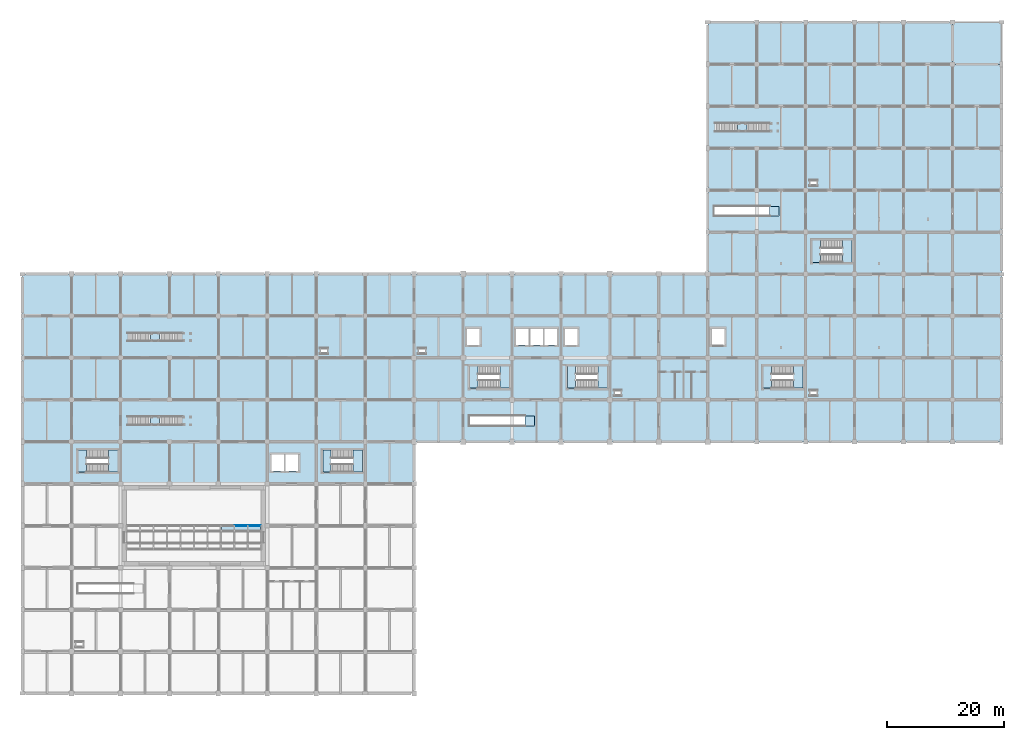
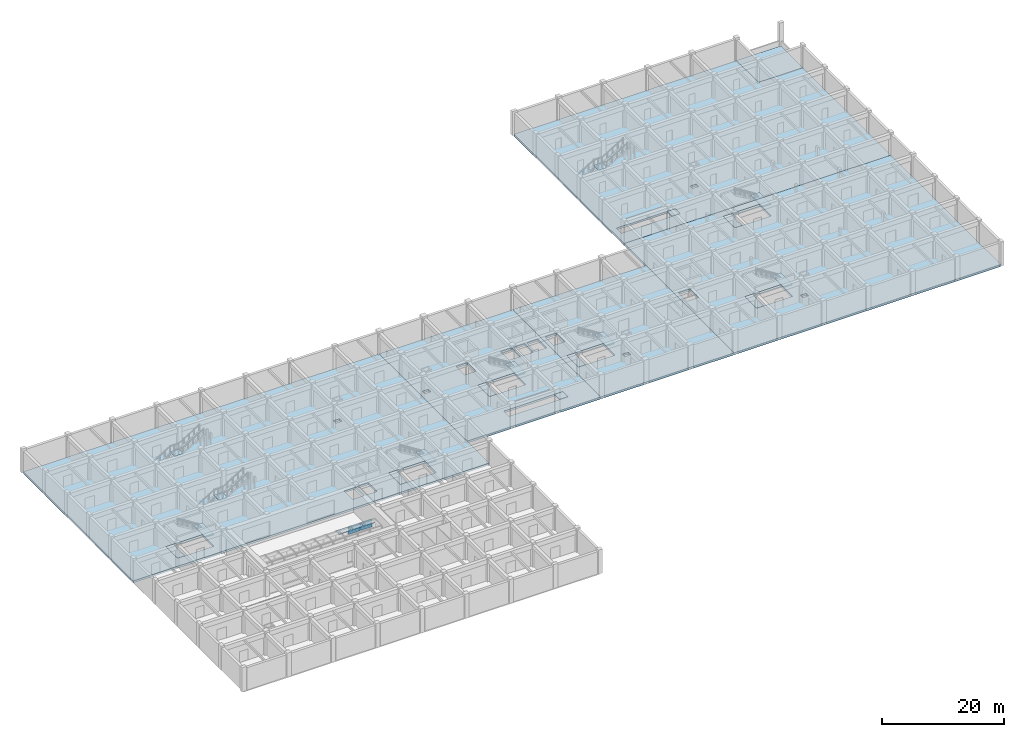
# One storey, part 14 of 32: 23 slabs, 5 plates, 9 elements without a shape of their own.
"""IFC4 building model written with IfcOpenShell, lengths in metres."""

from ifc_helpers import new_model, si_unit, derived_unit, direction, frame, origin, origin_2d, place, context, subcontext, project, spatial, polyline, rectangle, outline, extrude, material, layer, layer_set, type_object, element, aggregate, save


model = new_model("IFC4")

# Units and contexts
model_context = context("Model", 3, precision=1e-05, world=origin(), true_north=direction((0.0, 1.0)))
body_context = subcontext(model_context, "Body", "Model", "MODEL_VIEW")
ifc_project = project(units=[si_unit("LENGTHUNIT", "METRE"), si_unit("AREAUNIT", "SQUARE_METRE"), si_unit("VOLUMEUNIT", "CUBIC_METRE"), si_unit("PLANEANGLEUNIT", "RADIAN"), si_unit("MASSUNIT", "GRAM", prefix="KILO"), derived_unit("THERMALTRANSMITTANCEUNIT", [(si_unit("MASSUNIT", "GRAM", prefix="KILO"), 1), (si_unit("TIMEUNIT", "SECOND"), -3), (si_unit("THERMODYNAMICTEMPERATUREUNIT", "KELVIN"), -1)])], contexts=[model_context])

# Site, building, storey
site_placement = place(None, origin())
site = spatial("IfcSite", under=ifc_project, at=site_placement, CompositionType="ELEMENT")
building_placement = place(site_placement, origin())
building = spatial("IfcBuilding", under=site, at=building_placement, Name="Veldstrom Oceanarium and Marine Research Institute", CompositionType="ELEMENT")
storey_placement = place(building_placement, frame((0.0, 0.0, -4.800048828125)))
storey = spatial("IfcBuildingStorey", under=building, at=storey_placement, Name="B01", CompositionType="ELEMENT", Elevation=-4.800048828125)

# Plates
ifc_material_1 = material(Name="Cast Acrylic PMMA", Category="glass")
ifc_layer_1 = layer(ifc_material_1, 0.159912109375)
ifc_layer_set_1 = layer_set([ifc_layer_1], Name="ARC-PLT-AT1")
plate_type_1 = type_object("IfcPlateType", Name="ARC-PLT-AT1", PredefinedType="SHEET", material=ifc_layer_set_1)
for number, where, z_axis, x_axis, name in (
    (1, (37.485107421875, 28.824951171875, 0.89990234375), (0.0, 0.0, 1.0), (1.0, 0.0, 0.0), "Walkthrough Acrylic Tunnel Panel AT-058"),
    (2, (39.794921875, 28.824951171875, 0.89990234375), (0.0, 0.0, 1.0), (1.0, 0.0, 0.0), "Walkthrough Acrylic Tunnel Panel AT-065"),
):
    element("IfcPlate", number, at=place(storey_placement, frame(where, z_axis=z_axis, x_axis=x_axis)), inside=storey, type_object=plate_type_1, Name=name, PredefinedType="SHEET", context=body_context, shape_type="SweptSolid", body=[
        extrude(rectangle(XDim=2.14990234375, YDim=0.159912109375, at=origin_2d()), origin(), (0.0, 0.0, 1.0), 1.35009765625),
    ])
ifc_material_2 = material(Name="Cast Acrylic PMMA", Category="glass")
ifc_layer_2 = layer(ifc_material_2, 0.159912109375)
ifc_layer_set_2 = layer_set([ifc_layer_2], Name="ARC-PLT-AT2")
plate_type_2 = type_object("IfcPlateType", Name="ARC-PLT-AT2", PredefinedType="SHEET", material=ifc_layer_set_2)
for number, where, z_axis, x_axis, name in (
    (3, (35.175048828125, 28.33740234375, 2.25), (0.0, 0.0, 1.0), (1.0, 0.0, 0.0), "Walkthrough Acrylic Tunnel Panel AT-053"),
    (4, (37.485107421875, 28.33740234375, 2.25), (0.0, 0.0, 1.0), (1.0, 0.0, 0.0), "Walkthrough Acrylic Tunnel Panel AT-060"),
    (5, (39.794921875, 28.33740234375, 2.25), (0.0, 0.0, 1.0), (1.0, 0.0, 0.0), "Walkthrough Acrylic Tunnel Panel AT-067"),
):
    element("IfcPlate", number, at=place(storey_placement, frame(where, z_axis=z_axis, x_axis=x_axis)), inside=storey, type_object=plate_type_2, Name=name, PredefinedType="SHEET", context=body_context, shape_type="SweptSolid", body=[
        extrude(rectangle(XDim=2.14990234375, YDim=1.135009765625, at=origin_2d()), origin(), (0.0, 0.0, 1.0), 0.159912109375),
    ])

# Slabs
ifc_material_3 = material(Name="Concrete C40/50", Category="concrete")
ifc_layer_3 = layer(ifc_material_3, 0.39990234375)
ifc_layer_set_3 = layer_set([ifc_layer_3], Name="STR-SLB-FL0400")
slab_type_1 = type_object("IfcSlabType", Name="STR-SLB-FL0400", PredefinedType="FLOOR", material=ifc_layer_set_3)
slab_1_placement = place(storey_placement, frame((0.0, 0.0, -0.39990234375)))
element("IfcSlab", 6, at=slab_1_placement, inside=storey, type_object=slab_type_1, Name="Slab SF-400 B01 WN", PredefinedType="FLOOR", context=body_context, shape_type="SweptSolid", body=[
    extrude(outline(polyline([(67.199951171875, 57.60009765625), (67.199951171875, 50.39990234375), (67.199951171875, 43.199951171875), (67.199951171875, 36.0), (58.800048828125, 36.0), (50.39990234375, 36.0), (42.0, 36.0), (33.60009765625, 36.0), (25.199951171875, 36.0), (16.800048828125, 36.0), (8.39990234375, 36.0), (0.0, 36.0), (0.0, 43.199951171875), (0.0, 50.39990234375), (0.0, 57.60009765625), (0.0, 64.800048828125), (0.0, 72.0), (8.39990234375, 72.0), (16.800048828125, 72.0), (25.199951171875, 72.0), (33.60009765625, 72.0), (42.0, 72.0), (50.39990234375, 72.0), (58.800048828125, 72.0), (67.199951171875, 72.0), (67.199951171875, 64.800048828125), (67.199951171875, 57.60009765625)]), holes=[polyline([(16.360107421875, 38.0), (16.360107421875, 41.800048828125), (9.52001953125, 41.800048828125), (9.52001953125, 38.0), (16.360107421875, 38.0)]), polyline([(51.52001953125, 41.800048828125), (51.52001953125, 38.0), (58.360107421875, 38.0), (58.360107421875, 41.800048828125), (51.52001953125, 41.800048828125)]), polyline([(44.85009765625, 38.199951171875), (44.85009765625, 41.0), (42.699951171875, 41.0), (42.699951171875, 38.199951171875), (44.85009765625, 38.199951171875)]), polyline([(45.14990234375, 38.199951171875), (47.300048828125, 38.199951171875), (47.300048828125, 41.0), (45.14990234375, 41.0), (45.14990234375, 38.199951171875)]), polyline([(52.300048828125, 59.199951171875), (51.199951171875, 59.199951171875), (51.199951171875, 58.39990234375), (52.300048828125, 58.39990234375), (52.300048828125, 59.199951171875)])]), origin(), (0.0, 0.0, 1.0), 0.39990234375),
])
slab_2_placement = place(storey_placement, frame((0.0, 0.0, -0.39990234375)))
element("IfcSlab", 7, at=slab_2_placement, inside=storey, type_object=slab_type_1, Name="Slab SF-400 B01 CW", PredefinedType="FLOOR", context=body_context, shape_type="SweptSolid", body=[
    extrude(outline(polyline([(84.0, 72.0), (92.39990234375, 72.0), (92.39990234375, 64.800048828125), (92.39990234375, 57.60009765625), (92.39990234375, 50.39990234375), (92.39990234375, 43.199951171875), (84.0, 43.199951171875), (75.60009765625, 43.199951171875), (67.199951171875, 43.199951171875), (67.199951171875, 50.39990234375), (67.199951171875, 57.60009765625), (67.199951171875, 64.800048828125), (67.199951171875, 72.0), (75.60009765625, 72.0), (84.0, 72.0)]), holes=[polyline([(76.719970703125, 56.199951171875), (76.719970703125, 52.39990234375), (83.56005859375, 52.39990234375), (83.56005859375, 56.199951171875), (76.719970703125, 56.199951171875)]), polyline([(76.679931640625, 45.945068359375), (87.840087890625, 45.945068359375), (87.840087890625, 47.655029296875), (76.679931640625, 47.655029296875), (76.679931640625, 45.945068359375)]), polyline([(78.449951171875, 62.60009765625), (76.300048828125, 62.60009765625), (76.300048828125, 59.800048828125), (78.449951171875, 59.800048828125), (78.449951171875, 62.60009765625)]), polyline([(84.699951171875, 59.800048828125), (86.85009765625, 59.800048828125), (86.85009765625, 62.60009765625), (84.699951171875, 62.60009765625), (84.699951171875, 59.800048828125)]), polyline([(87.14990234375, 62.60009765625), (87.14990234375, 59.800048828125), (89.300048828125, 59.800048828125), (89.300048828125, 62.60009765625), (87.14990234375, 62.60009765625)]), polyline([(91.75, 62.60009765625), (89.60009765625, 62.60009765625), (89.60009765625, 59.800048828125), (91.75, 59.800048828125), (91.75, 62.60009765625)]), polyline([(69.10009765625, 59.199951171875), (68.0, 59.199951171875), (68.0, 58.39990234375), (69.10009765625, 58.39990234375), (69.10009765625, 59.199951171875)])]), origin(), (0.0, 0.0, 1.0), 0.39990234375),
])
slab_3_placement = place(storey_placement, frame((0.0, 0.0, -0.39990234375)))
element("IfcSlab", 8, at=slab_3_placement, inside=storey, type_object=slab_type_1, Name="Slab SF-400 B01 CE", PredefinedType="FLOOR", context=body_context, shape_type="SweptSolid", body=[
    extrude(outline(polyline([(100.800048828125, 72.0), (109.199951171875, 72.0), (117.60009765625, 72.0), (117.60009765625, 64.800048828125), (117.60009765625, 57.60009765625), (117.60009765625, 50.39990234375), (117.60009765625, 43.199951171875), (109.199951171875, 43.199951171875), (100.800048828125, 43.199951171875), (92.39990234375, 43.199951171875), (92.39990234375, 50.39990234375), (92.39990234375, 57.60009765625), (92.39990234375, 64.800048828125), (92.39990234375, 72.0), (100.800048828125, 72.0)]), holes=[polyline([(100.360107421875, 56.199951171875), (93.52001953125, 56.199951171875), (93.52001953125, 52.39990234375), (100.360107421875, 52.39990234375), (100.360107421875, 56.199951171875)]), polyline([(95.25, 59.800048828125), (95.25, 62.60009765625), (93.10009765625, 62.60009765625), (93.10009765625, 59.800048828125), (95.25, 59.800048828125)]), polyline([(102.699951171875, 52.0), (101.60009765625, 52.0), (101.60009765625, 51.199951171875), (102.699951171875, 51.199951171875), (102.699951171875, 52.0)])]), origin(), (0.0, 0.0, 1.0), 0.39990234375),
])
slab_4_placement = place(storey_placement, frame((0.0, 0.0, -0.39990234375)))
element("IfcSlab", 9, at=slab_4_placement, inside=storey, type_object=slab_type_1, Name="Slab SF-400 B01 ES", PredefinedType="FLOOR", context=body_context, shape_type="SweptSolid", body=[
    extrude(outline(polyline([(126.0, 43.199951171875), (117.60009765625, 43.199951171875), (117.60009765625, 50.39990234375), (117.60009765625, 57.60009765625), (117.60009765625, 64.800048828125), (117.60009765625, 72.0), (117.60009765625, 79.199951171875), (126.0, 79.199951171875), (134.39990234375, 79.199951171875), (142.800048828125, 79.199951171875), (151.199951171875, 79.199951171875), (159.60009765625, 79.199951171875), (168.0, 79.199951171875), (168.0, 72.0), (168.0, 64.800048828125), (168.0, 57.60009765625), (168.0, 50.39990234375), (168.0, 43.199951171875), (159.60009765625, 43.199951171875), (151.199951171875, 43.199951171875), (142.800048828125, 43.199951171875), (134.39990234375, 43.199951171875), (126.0, 43.199951171875)]), holes=[polyline([(127.1201171875, 52.39990234375), (133.9599609375, 52.39990234375), (133.9599609375, 56.199951171875), (127.1201171875, 56.199951171875), (127.1201171875, 52.39990234375)]), polyline([(142.360107421875, 77.800048828125), (135.52001953125, 77.800048828125), (135.52001953125, 74.0), (142.360107421875, 74.0), (142.360107421875, 77.800048828125)]), polyline([(118.300048828125, 62.60009765625), (118.300048828125, 59.800048828125), (120.449951171875, 59.800048828125), (120.449951171875, 62.60009765625), (118.300048828125, 62.60009765625)]), polyline([(136.300048828125, 52.0), (135.199951171875, 52.0), (135.199951171875, 51.199951171875), (136.300048828125, 51.199951171875), (136.300048828125, 52.0)])]), origin(), (0.0, 0.0, 1.0), 0.39990234375),
])
slab_5_placement = place(storey_placement, frame((0.0, 0.0, -0.39990234375)))
element("IfcSlab", 10, at=slab_5_placement, inside=storey, type_object=slab_type_1, Name="Slab SF-400 B01 EN", PredefinedType="FLOOR", context=body_context, shape_type="SweptSolid", body=[
    extrude(outline(polyline([(126.0, 79.199951171875), (117.60009765625, 79.199951171875), (117.60009765625, 86.39990234375), (117.60009765625, 93.60009765625), (117.60009765625, 100.800048828125), (117.60009765625, 108.0), (117.60009765625, 115.199951171875), (126.0, 115.199951171875), (134.39990234375, 115.199951171875), (142.800048828125, 115.199951171875), (151.199951171875, 115.199951171875), (159.60009765625, 115.199951171875), (159.60009765625, 108.0), (168.0, 108.0), (168.0, 100.800048828125), (168.0, 93.60009765625), (168.0, 86.39990234375), (168.0, 79.199951171875), (159.60009765625, 79.199951171875), (151.199951171875, 79.199951171875), (142.800048828125, 79.199951171875), (134.39990234375, 79.199951171875), (126.0, 79.199951171875)]), holes=[polyline([(118.679931640625, 83.60498046875), (118.679931640625, 81.9951171875), (129.840087890625, 81.9951171875), (129.840087890625, 83.60498046875), (118.679931640625, 83.60498046875)]), polyline([(136.300048828125, 88.0), (135.199951171875, 88.0), (135.199951171875, 87.199951171875), (136.300048828125, 87.199951171875), (136.300048828125, 88.0)])]), origin(), (0.0, 0.0, 1.0), 0.39990234375),
])

# Stair, slab
ifc_material_4 = material(Name="Concrete C40/50", Category="concrete")
stair_type_1 = type_object("IfcStairType", Name="ARC-STR-ST-480", PredefinedType="TWO_STRAIGHT_RUN_STAIR", material=ifc_material_4)
stair_1_placement = place(storey_placement, origin())
stair_1 = element("IfcStair", 11, at=stair_1_placement, inside=storey, type_object=stair_type_1, Name="Dog-Leg Escape Stair ST1-B01", PredefinedType="TWO_STRAIGHT_RUN_STAIR")
ifc_material_5 = material(Name="Concrete C40/50", Category="concrete")
ifc_layer_4 = layer(ifc_material_5, 0.179931640625)
ifc_layer_set_4 = layer_set([ifc_layer_4], Name="STR-SLB-LD180")
slab_type_2 = type_object("IfcSlabType", Name="STR-SLB-LD180", PredefinedType="LANDING", material=ifc_layer_set_4)
slab_6_placement = place(storey_placement, frame((0.0, 0.0, 2.219970703125)))
slab_6 = element("IfcSlab", 12, at=slab_6_placement, type_object=slab_type_2, Name="Stair Half-Landing ST1 B01", PredefinedType="LANDING", context=body_context, shape_type="SweptSolid", body=[
    extrude(outline(polyline([(81.919921875, 52.39990234375), (83.56005859375, 52.39990234375), (83.56005859375, 56.199951171875), (81.919921875, 56.199951171875), (81.919921875, 52.39990234375)])), origin(), (0.0, 0.0, 1.0), 0.18017578125),
])
aggregate(stair_1, [slab_6])

stair_2_placement = place(storey_placement, origin())
stair_2 = element("IfcStair", 13, at=stair_2_placement, inside=storey, type_object=stair_type_1, Name="Dog-Leg Escape Stair ST2-B01", PredefinedType="TWO_STRAIGHT_RUN_STAIR")
slab_7_placement = place(storey_placement, frame((0.0, 0.0, 2.219970703125)))
slab_7 = element("IfcSlab", 14, at=slab_7_placement, type_object=slab_type_2, Name="Stair Half-Landing ST2 B01", PredefinedType="LANDING", context=body_context, shape_type="SweptSolid", body=[
    extrude(outline(polyline([(98.719970703125, 52.39990234375), (100.360107421875, 52.39990234375), (100.360107421875, 56.199951171875), (98.719970703125, 56.199951171875), (98.719970703125, 52.39990234375)])), origin(), (0.0, 0.0, 1.0), 0.18017578125),
])
aggregate(stair_2, [slab_7])

stair_3_placement = place(storey_placement, origin())
stair_3 = element("IfcStair", 15, at=stair_3_placement, inside=storey, type_object=stair_type_1, Name="Dog-Leg Escape Stair ST3-B01", PredefinedType="TWO_STRAIGHT_RUN_STAIR")
slab_8_placement = place(storey_placement, frame((0.0, 0.0, 2.219970703125)))
slab_8 = element("IfcSlab", 16, at=slab_8_placement, type_object=slab_type_2, Name="Stair Half-Landing ST3 B01", PredefinedType="LANDING", context=body_context, shape_type="SweptSolid", body=[
    extrude(outline(polyline([(14.719970703125, 38.0), (16.360107421875, 38.0), (16.360107421875, 41.800048828125), (14.719970703125, 41.800048828125), (14.719970703125, 38.0)])), origin(), (0.0, 0.0, 1.0), 0.18017578125),
])
aggregate(stair_3, [slab_8])

stair_4_placement = place(storey_placement, origin())
stair_4 = element("IfcStair", 17, at=stair_4_placement, inside=storey, type_object=stair_type_1, Name="Dog-Leg Escape Stair ST4-B01", PredefinedType="TWO_STRAIGHT_RUN_STAIR")
slab_9_placement = place(storey_placement, frame((0.0, 0.0, 2.219970703125)))
slab_9 = element("IfcSlab", 18, at=slab_9_placement, type_object=slab_type_2, Name="Stair Half-Landing ST4 B01", PredefinedType="LANDING", context=body_context, shape_type="SweptSolid", body=[
    extrude(outline(polyline([(132.320068359375, 52.39990234375), (133.9599609375, 52.39990234375), (133.9599609375, 56.199951171875), (132.320068359375, 56.199951171875), (132.320068359375, 52.39990234375)])), origin(), (0.0, 0.0, 1.0), 0.18017578125),
])
aggregate(stair_4, [slab_9])

stair_5_placement = place(storey_placement, origin())
stair_5 = element("IfcStair", 19, at=stair_5_placement, inside=storey, type_object=stair_type_1, Name="Dog-Leg Escape Stair ST6-B01", PredefinedType="TWO_STRAIGHT_RUN_STAIR")
slab_10_placement = place(storey_placement, frame((0.0, 0.0, 2.219970703125)))
slab_10 = element("IfcSlab", 20, at=slab_10_placement, type_object=slab_type_2, Name="Stair Half-Landing ST6 B01", PredefinedType="LANDING", context=body_context, shape_type="SweptSolid", body=[
    extrude(outline(polyline([(56.719970703125, 38.0), (58.360107421875, 38.0), (58.360107421875, 41.800048828125), (56.719970703125, 41.800048828125), (56.719970703125, 38.0)])), origin(), (0.0, 0.0, 1.0), 0.18017578125),
])
aggregate(stair_5, [slab_10])

stair_6_placement = place(storey_placement, origin())
stair_6 = element("IfcStair", 21, at=stair_6_placement, inside=storey, type_object=stair_type_1, Name="Dog-Leg Escape Stair ST7-B01", PredefinedType="TWO_STRAIGHT_RUN_STAIR")
slab_11_placement = place(storey_placement, frame((0.0, 0.0, 2.219970703125)))
slab_11 = element("IfcSlab", 22, at=slab_11_placement, type_object=slab_type_2, Name="Stair Half-Landing ST7 B01", PredefinedType="LANDING", context=body_context, shape_type="SweptSolid", body=[
    extrude(outline(polyline([(140.719970703125, 74.0), (142.360107421875, 74.0), (142.360107421875, 77.800048828125), (140.719970703125, 77.800048828125), (140.719970703125, 74.0)])), origin(), (0.0, 0.0, 1.0), 0.18017578125),
])
aggregate(stair_6, [slab_11])

ifc_material_6 = material(Name="Concrete C40/50", Category="concrete")
stair_type_2 = type_object("IfcStairType", Name="ARC-STR-ST-FC2", PredefinedType="STRAIGHT_RUN_STAIR", material=ifc_material_6)
stair_7_placement = place(storey_placement, origin())
stair_7 = element("IfcStair", 23, at=stair_7_placement, inside=storey, type_object=stair_type_2, Name="Gallery Concourse Straight Stair ST5-04", PredefinedType="STRAIGHT_RUN_STAIR")
slab_12_placement = place(storey_placement, frame((0.0, 0.0, 2.219970703125)))
slab_12 = element("IfcSlab", 24, at=slab_12_placement, type_object=slab_type_2, Name="Gallery Straight Stair Mid-Landing ST5-04", PredefinedType="LANDING", context=body_context, shape_type="SweptSolid", body=[
    extrude(outline(polyline([(21.919921875, 45.965087890625), (23.52001953125, 45.965087890625), (23.52001953125, 47.635009765625), (21.919921875, 47.635009765625), (21.919921875, 45.965087890625)])), origin(), (0.0, 0.0, 1.0), 0.18017578125),
])
aggregate(stair_7, [slab_12])

ifc_material_7 = material(Name="Concrete C40/50", Category="concrete")
stair_type_3 = type_object("IfcStairType", Name="ARC-STR-ST-FC1", PredefinedType="STRAIGHT_RUN_STAIR", material=ifc_material_7)
stair_8_placement = place(storey_placement, origin())
stair_8 = element("IfcStair", 25, at=stair_8_placement, inside=storey, type_object=stair_type_3, Name="Gallery Concourse Straight Stair ST5-05", PredefinedType="STRAIGHT_RUN_STAIR")
slab_13_placement = place(storey_placement, frame((0.0, 0.0, 2.219970703125)))
slab_13 = element("IfcSlab", 26, at=slab_13_placement, type_object=slab_type_2, Name="Gallery Straight Stair Mid-Landing ST5-05", PredefinedType="LANDING", context=body_context, shape_type="SweptSolid", body=[
    extrude(outline(polyline([(21.919921875, 60.4150390625), (23.52001953125, 60.4150390625), (23.52001953125, 61.985107421875), (21.919921875, 61.985107421875), (21.919921875, 60.4150390625)])), origin(), (0.0, 0.0, 1.0), 0.18017578125),
])
aggregate(stair_8, [slab_13])

stair_9_placement = place(storey_placement, origin())
stair_9 = element("IfcStair", 27, at=stair_9_placement, inside=storey, type_object=stair_type_2, Name="Gallery Concourse Straight Stair ST5-06", PredefinedType="STRAIGHT_RUN_STAIR")
slab_14_placement = place(storey_placement, frame((0.0, 0.0, 2.219970703125)))
slab_14 = element("IfcSlab", 28, at=slab_14_placement, type_object=slab_type_2, Name="Gallery Straight Stair Mid-Landing ST5-06", PredefinedType="LANDING", context=body_context, shape_type="SweptSolid", body=[
    extrude(outline(polyline([(122.719970703125, 96.364990234375), (124.320068359375, 96.364990234375), (124.320068359375, 98.034912109375), (122.719970703125, 98.034912109375), (122.719970703125, 96.364990234375)])), origin(), (0.0, 0.0, 1.0), 0.18017578125),
])
aggregate(stair_9, [slab_14])

# Slabs
ifc_material_8 = material(Name="Concrete C40/50", Category="concrete")
ifc_layer_5 = layer(ifc_material_8, 0.199951171875)
ifc_layer_set_5 = layer_set([ifc_layer_5], Name="STR-SLB-LD200")
slab_type_3 = type_object("IfcSlabType", Name="STR-SLB-LD200", PredefinedType="LANDING", material=ifc_layer_set_5)
slab_15_placement = place(storey_placement, frame((0.0, 0.0, -0.199951171875)))
element("IfcSlab", 29, at=slab_15_placement, inside=storey, type_object=slab_type_3, Name="Stair Floor Landing ST1 B01", PredefinedType="LANDING", context=body_context, shape_type="SweptSolid", body=[
    extrude(outline(polyline([(76.719970703125, 52.39990234375), (78.139892578125, 52.39990234375), (78.139892578125, 56.199951171875), (76.719970703125, 56.199951171875), (76.719970703125, 52.39990234375)])), origin(), (0.0, 0.0, 1.0), 0.199951171875),
])
slab_16_placement = place(storey_placement, frame((0.0, 0.0, -0.199951171875)))
element("IfcSlab", 30, at=slab_16_placement, inside=storey, type_object=slab_type_3, Name="Stair Floor Landing ST2 B01", PredefinedType="LANDING", context=body_context, shape_type="SweptSolid", body=[
    extrude(outline(polyline([(93.52001953125, 52.39990234375), (94.93994140625, 52.39990234375), (94.93994140625, 56.199951171875), (93.52001953125, 56.199951171875), (93.52001953125, 52.39990234375)])), origin(), (0.0, 0.0, 1.0), 0.199951171875),
])
slab_17_placement = place(storey_placement, frame((0.0, 0.0, -0.199951171875)))
element("IfcSlab", 31, at=slab_17_placement, inside=storey, type_object=slab_type_3, Name="Stair Floor Landing ST3 B01", PredefinedType="LANDING", context=body_context, shape_type="SweptSolid", body=[
    extrude(outline(polyline([(9.52001953125, 38.0), (10.93994140625, 38.0), (10.93994140625, 41.800048828125), (9.52001953125, 41.800048828125), (9.52001953125, 38.0)])), origin(), (0.0, 0.0, 1.0), 0.199951171875),
])
slab_18_placement = place(storey_placement, frame((0.0, 0.0, -0.199951171875)))
element("IfcSlab", 32, at=slab_18_placement, inside=storey, type_object=slab_type_3, Name="Stair Floor Landing ST4 B01", PredefinedType="LANDING", context=body_context, shape_type="SweptSolid", body=[
    extrude(outline(polyline([(127.1201171875, 52.39990234375), (128.5400390625, 52.39990234375), (128.5400390625, 56.199951171875), (127.1201171875, 56.199951171875), (127.1201171875, 52.39990234375)])), origin(), (0.0, 0.0, 1.0), 0.199951171875),
])
slab_19_placement = place(storey_placement, frame((0.0, 0.0, -0.199951171875)))
element("IfcSlab", 33, at=slab_19_placement, inside=storey, type_object=slab_type_3, Name="Stair Floor Landing ST6 B01", PredefinedType="LANDING", context=body_context, shape_type="SweptSolid", body=[
    extrude(outline(polyline([(51.52001953125, 38.0), (52.93994140625, 38.0), (52.93994140625, 41.800048828125), (51.52001953125, 41.800048828125), (51.52001953125, 38.0)])), origin(), (0.0, 0.0, 1.0), 0.199951171875),
])
slab_20_placement = place(storey_placement, frame((0.0, 0.0, -0.199951171875)))
element("IfcSlab", 34, at=slab_20_placement, inside=storey, type_object=slab_type_3, Name="Stair Floor Landing ST7 B01", PredefinedType="LANDING", context=body_context, shape_type="SweptSolid", body=[
    extrude(outline(polyline([(135.52001953125, 74.0), (136.93994140625, 74.0), (136.93994140625, 77.800048828125), (135.52001953125, 77.800048828125), (135.52001953125, 74.0)])), origin(), (0.0, 0.0, 1.0), 0.199951171875),
])
slab_21_placement = place(storey_placement, frame((0.0, 0.0, -0.199951171875)))
element("IfcSlab", 35, at=slab_21_placement, inside=storey, type_object=slab_type_3, Name="Gallery Straight Stair Arrival Landing ST5-02", PredefinedType="LANDING", context=body_context, shape_type="SweptSolid", body=[
    extrude(outline(polyline([(86.239990234375, 45.965087890625), (87.840087890625, 45.965087890625), (87.840087890625, 47.635009765625), (86.239990234375, 47.635009765625), (86.239990234375, 45.965087890625)])), origin(), (0.0, 0.0, 1.0), 0.199951171875),
])
slab_22_placement = place(storey_placement, frame((0.0, 0.0, -0.199951171875)))
element("IfcSlab", 36, at=slab_22_placement, inside=storey, type_object=slab_type_3, Name="Gallery Straight Stair Arrival Landing ST5-03", PredefinedType="LANDING", context=body_context, shape_type="SweptSolid", body=[
    extrude(outline(polyline([(128.239990234375, 82.014892578125), (129.840087890625, 82.014892578125), (129.840087890625, 83.5849609375), (128.239990234375, 83.5849609375), (128.239990234375, 82.014892578125)])), origin(), (0.0, 0.0, 1.0), 0.199951171875),
])
ifc_material_9 = material(Name="Concrete C40/50", Category="concrete")
ifc_layer_6 = layer(ifc_material_9, 0.22509765625)
ifc_layer_set_6 = layer_set([ifc_layer_6], Name="STR-SLB-RF0225")
slab_type_4 = type_object("IfcSlabType", Name="STR-SLB-RF0225", PredefinedType="ROOF", material=ifc_layer_set_6)
slab_23_placement = place(storey_placement, frame((0.0, 0.0, -0.224853515625)))
element("IfcSlab", 37, at=slab_23_placement, inside=storey, type_object=slab_type_4, Name="Maintenance Roof Slab B02", PredefinedType="ROOF", context=body_context, shape_type="SweptSolid", body=[
    extrude(outline(polyline([(168.0, 108.0), (168.0, 115.199951171875), (159.60009765625, 115.199951171875), (159.60009765625, 108.0), (168.0, 108.0)])), origin(), (0.0, 0.0, 1.0), 0.224853515625),
])

save(model, "model.ifc")
